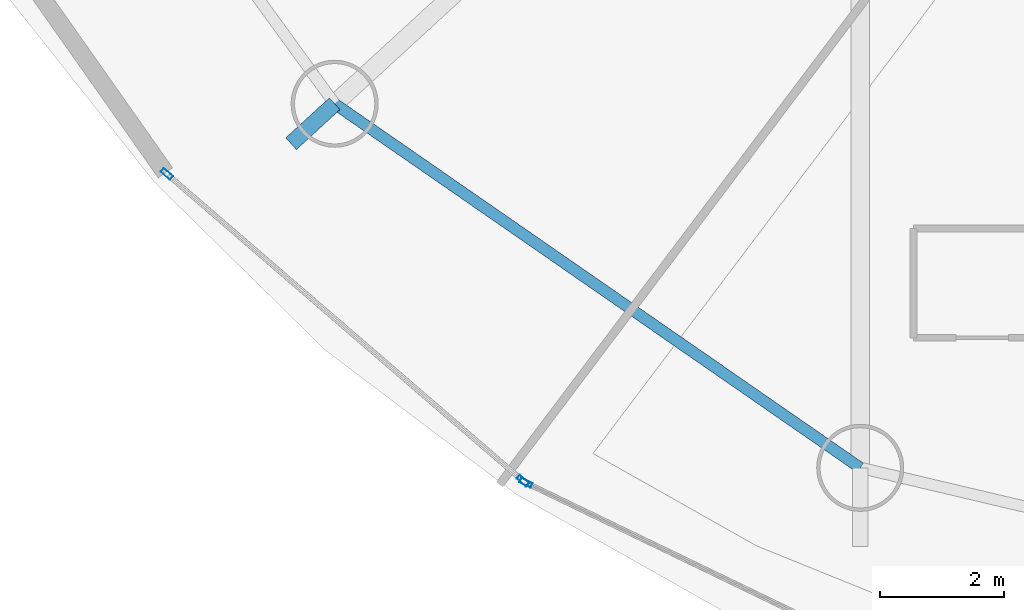
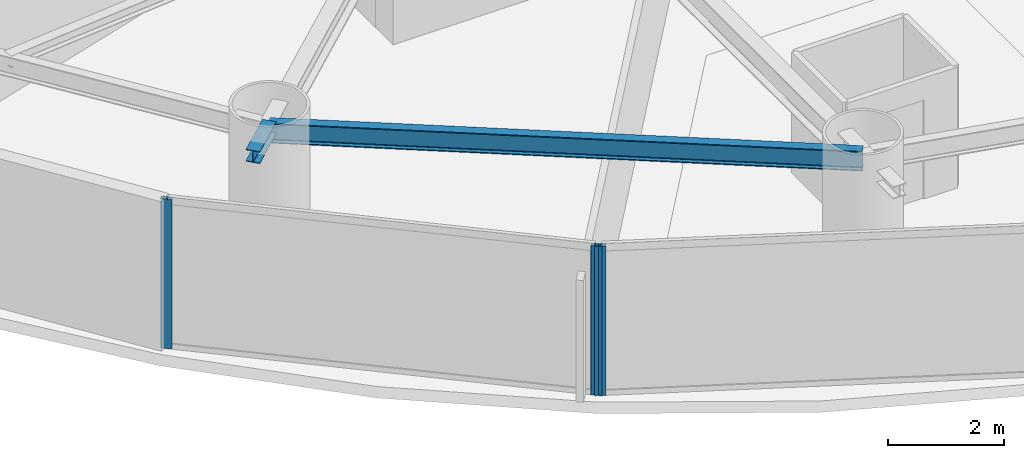
# One storey, part 2 of 21: 3 members, 2 beams, 2 elements without a shape of their own.
"""IFC4 building model written with IfcOpenShell, lengths in metres."""

from ifc_helpers import new_model, si_unit, direction, frame, origin, origin_2d, place, context, subcontext, project, spatial, hollow_rectangle, i_section, extrude, material, layer, layer_set, material_profile, profile_set, type_object, element, aggregate, save


model = new_model("IFC4")

# Units and contexts
model_context = context("Model", 3, precision=1e-05, world=origin(), true_north=direction((0.0, 1.0)))
body_context = subcontext(model_context, "Body", "Model", "MODEL_VIEW")
ifc_project = project(units=[si_unit("LENGTHUNIT", "METRE"), si_unit("AREAUNIT", "SQUARE_METRE"), si_unit("VOLUMEUNIT", "CUBIC_METRE"), si_unit("PLANEANGLEUNIT", "RADIAN"), si_unit("MASSUNIT", "GRAM", prefix="KILO")], contexts=[model_context])

# Site, building, storey
site_placement = place(None, origin())
site = spatial("IfcSite", under=ifc_project, at=site_placement, CompositionType="ELEMENT")
building_placement = place(site_placement, origin())
building = spatial("IfcBuilding", under=site, at=building_placement, Name="Bramvorn Convention Spire", CompositionType="ELEMENT")
storey_placement = place(building_placement, frame((0.0, 0.0, 162.300048828125)))
storey = spatial("IfcBuildingStorey", under=building, at=storey_placement, Name="L41", CompositionType="ELEMENT", Elevation=162.300048828125)

# Beams
ifc_material_1 = material(Name="Steel CSA G40.21 Grade 350 (350W)", Category="steel")
ifc_material_profile_1 = material_profile(ifc_material_1, i_section(OverallWidth=0.25390625, OverallDepth=0.2529296875, WebThickness=0.008544921875, FlangeThickness=0.01416015625, FilletRadius=0.011962890625, at=origin_2d()))
ifc_profile_set_1 = profile_set([ifc_material_profile_1], Name="Steel CSA G40.21 Grade 350 (350W) - W250X73")
beam_type_1 = type_object("IfcBeamType", Name="BM-W250X73", PredefinedType="BEAM", material=ifc_profile_set_1)
beam_1_placement = place(storey_placement, frame((21.465087890625, 13.700927734375, 3.0234375), z_axis=(-0.736770135327, -0.676143304108, 0.0), x_axis=(0.676143304108, -0.736770135327, 0.0)))
element("IfcBeam", 1, at=beam_1_placement, inside=storey, type_object=beam_type_1, Name="L41 slab-edge cantilever tip beam MC12", PredefinedType="BEAM", context=body_context, shape_type="SweptSolid", body=[
    extrude(i_section(OverallWidth=0.25390625, OverallDepth=0.2529296875, WebThickness=0.008544921875, FlangeThickness=0.01416015625, FilletRadius=0.011962890625, at=origin_2d()), origin(), (0.0, 0.0, 1.0), 0.950439453125),
])
ifc_material_profile_2 = material_profile(ifc_material_1, i_section(OverallWidth=0.180908203125, OverallDepth=0.4169921875, WebThickness=0.010986328125, FlangeThickness=0.018310546875, FilletRadius=0.01611328125, at=origin_2d()))
ifc_profile_set_2 = profile_set([ifc_material_profile_2], Name="Steel CSA G40.21 Grade 350 (350W) - W410X85")
beam_type_2 = type_object("IfcBeamType", Name="BM-W410X85", PredefinedType="JOIST", material=ifc_profile_set_2)
beam_2_placement = place(storey_placement, frame((21.465087890625, 13.700927734375, 2.94140625), z_axis=(0.822033166673, -0.569439613032, 0.0), x_axis=(0.569439613032, 0.822033166673, 0.0)))
element("IfcBeam", 2, at=beam_2_placement, inside=storey, type_object=beam_type_2, Name="L41 mega-column ring beam 12", PredefinedType="JOIST", context=body_context, shape_type="SweptSolid", body=[
    extrude(i_section(OverallWidth=0.180908203125, OverallDepth=0.4169921875, WebThickness=0.010986328125, FlangeThickness=0.018310546875, FilletRadius=0.01611328125, at=origin_2d()), origin(), (0.0, 0.0, 1.0), 10.281982421875),
])

# Curtain wall, members
ifc_material_2 = material(Name="Anodised Bronze Unitised Curtain Wall", Category="aluminium")
ifc_layer = layer(ifc_material_2, 0.179931640625)
ifc_layer_set = layer_set([ifc_layer], Name="Anodised Bronze Unitised Curtain Wall - CW-HTL-FRIT")
curtain_wall_type = type_object("IfcCurtainWallType", Name="CW-HTL-FRIT", PredefinedType="USERDEFINED", material=ifc_layer_set)
curtain_wall_1_placement = place(storey_placement, origin())
curtain_wall_1 = element("IfcCurtainWall", 3, at=curtain_wall_1_placement, inside=storey, type_object=curtain_wall_type, Name="L41 fritted glass curtain wall 18", ObjectType="UNITISED CURTAIN WALL", PredefinedType="USERDEFINED")
ifc_material_3 = material(Name="Anodised Bronze Aluminium 6063-T6", Category="aluminium")
ifc_material_profile_3 = material_profile(ifc_material_3, hollow_rectangle(XDim=0.080078125, YDim=0.199951171875, WallThickness=0.00390625, InnerFilletRadius=0.0009765625, OuterFilletRadius=0.00390625, at=origin_2d()))
ifc_profile_set_3 = profile_set([ifc_material_profile_3], Name="Anodised Bronze Aluminium 6063-T6 - CWM80X200")
member_type = type_object("IfcMemberType", Name="CW-MUL-180", PredefinedType="MULLION", material=ifc_profile_set_3)
member_1_placement = place(storey_placement, frame((24.490966796875, 7.63818359375, 0.0), z_axis=(0.0, 0.0, 1.0), x_axis=(-0.652735223559, -0.757586119148, 0.0)))
member_1 = element("IfcMember", 4, at=member_1_placement, type_object=member_type, Name="CW2 mullion 1", PredefinedType="MULLION", context=body_context, shape_type="SweptSolid", body=[
    extrude(hollow_rectangle(XDim=0.080078125, YDim=0.199951171875, WallThickness=0.00390625, InnerFilletRadius=0.0009765625, OuterFilletRadius=0.00390625, at=origin_2d()), origin(), (0.0, 0.0, 1.0), 3.14990234375),
])
member_2_placement = place(storey_placement, frame((18.765625, 12.5712890625, 0.0), z_axis=(0.0, 0.0, 1.0), x_axis=(-0.652735223559, -0.757586119148, 0.0)))
member_2 = element("IfcMember", 5, at=member_2_placement, type_object=member_type, Name="CW2 mullion 2", PredefinedType="MULLION", context=body_context, shape_type="SweptSolid", body=[
    extrude(hollow_rectangle(XDim=0.080078125, YDim=0.199951171875, WallThickness=0.00390625, InnerFilletRadius=0.0009765625, OuterFilletRadius=0.00390625, at=origin_2d()), origin(), (0.0, 0.0, 1.0), 3.14990234375),
])
aggregate(curtain_wall_1, [member_1, member_2])

# Curtain wall, member
curtain_wall_2_placement = place(storey_placement, origin())
curtain_wall_2 = element("IfcCurtainWall", 6, at=curtain_wall_2_placement, inside=storey, type_object=curtain_wall_type, Name="L41 fritted glass curtain wall 19", ObjectType="UNITISED CURTAIN WALL", PredefinedType="USERDEFINED")
member_3_placement = place(storey_placement, frame((24.540771484375, 7.605712890625, 0.0), z_axis=(0.0, 0.0, 1.0), x_axis=(-0.434476641571, -0.900683100724, 0.0)))
member_3 = element("IfcMember", 7, at=member_3_placement, type_object=member_type, Name="CW2 mullion 2", PredefinedType="MULLION", context=body_context, shape_type="SweptSolid", body=[
    extrude(hollow_rectangle(XDim=0.080078125, YDim=0.199951171875, WallThickness=0.00390625, InnerFilletRadius=0.0009765625, OuterFilletRadius=0.00390625, at=origin_2d()), origin(), (0.0, 0.0, 1.0), 3.14990234375),
])
aggregate(curtain_wall_2, [member_3])

save(model, "model.ifc")
